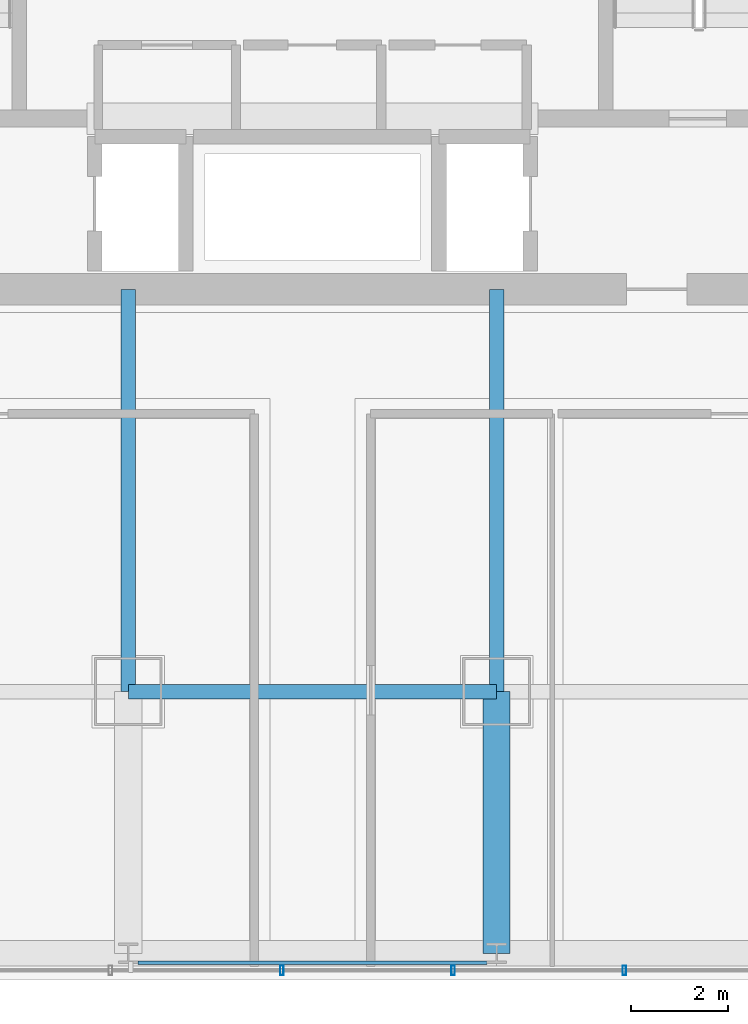
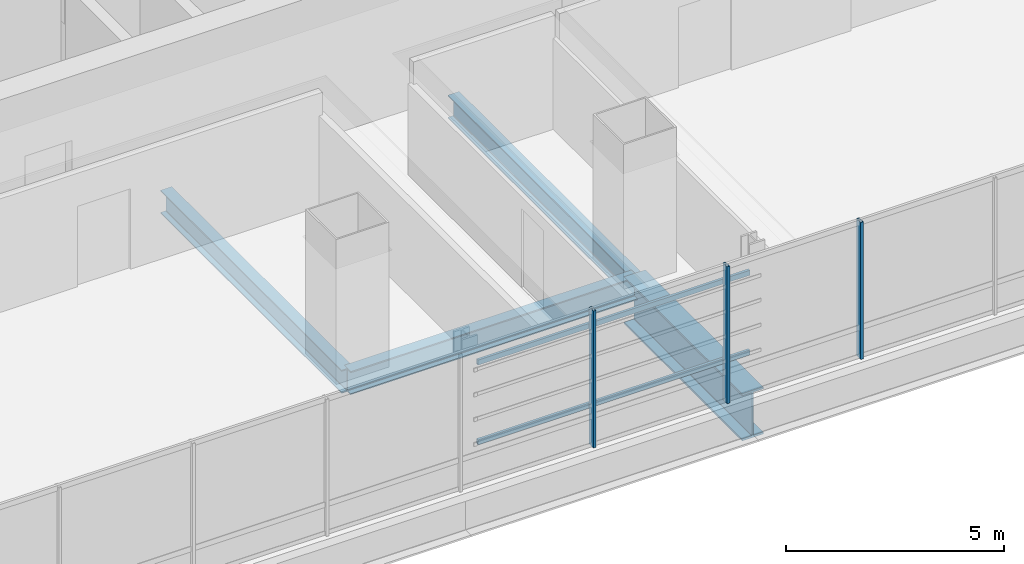
# One storey, part 8 of 37: 5 members, 4 beams, 1 element without a shape of its own.
"""IFC4 building model written with IfcOpenShell, lengths in metres."""

from ifc_helpers import new_model, si_unit, direction, frame, origin, origin_2d, place, context, subcontext, project, spatial, hollow_rectangle, i_section, extrude, material, material_profile, profile_set, type_object, element, aggregate, save


model = new_model("IFC4")

# Units and contexts
model_context = context("Model", 3, precision=1e-05, world=origin(), true_north=direction((0.0, 1.0)))
body_context = subcontext(model_context, "Body", "Model", "MODEL_VIEW")
ifc_project = project(units=[si_unit("LENGTHUNIT", "METRE"), si_unit("AREAUNIT", "SQUARE_METRE"), si_unit("VOLUMEUNIT", "CUBIC_METRE"), si_unit("PLANEANGLEUNIT", "RADIAN"), si_unit("MASSUNIT", "GRAM", prefix="KILO")], contexts=[model_context])

# Site, building, storey
site_placement = place(None, origin())
site = spatial("IfcSite", under=ifc_project, at=site_placement, CompositionType="ELEMENT")
building_placement = place(site_placement, origin())
building = spatial("IfcBuilding", under=site, at=building_placement, Name="Punatoya Terracotta Tower", CompositionType="ELEMENT")
storey_placement = place(building_placement, frame((0.0, 0.0, 192.449951171875)))
storey = spatial("IfcBuildingStorey", under=building, at=storey_placement, Name="L45", CompositionType="ELEMENT", Elevation=192.449951171875)

# Beams
ifc_material_1 = material(Name="Steel S355", Category="steel")
ifc_material_profile_1 = material_profile(ifc_material_1, i_section(OverallWidth=0.300048828125, OverallDepth=0.64990234375, WebThickness=0.01611328125, FlangeThickness=0.031005859375, FilletRadius=0.01806640625, at=origin_2d()))
ifc_profile_set_1 = profile_set([ifc_material_profile_1], Name="Steel S355")
beam_type_1 = type_object("IfcBeamType", Name="BM-PRI-650", PredefinedType="BEAM", material=ifc_profile_set_1)
beam_1_placement = place(storey_placement, frame((-3.800048828125, -17.5, -0.544921875), z_axis=(1.0, 0.0, 0.0), x_axis=(0.0, 1.0, 0.0)))
element("IfcBeam", 1, at=beam_1_placement, inside=storey, type_object=beam_type_1, Name="BM-L45-RG-S2", PredefinedType="BEAM", context=body_context, shape_type="SweptSolid", body=[
    extrude(i_section(OverallWidth=0.300048828125, OverallDepth=0.64990234375, WebThickness=0.01611328125, FlangeThickness=0.031005859375, FilletRadius=0.01806640625, at=origin_2d()), origin(), (0.0, 0.0, 1.0), 7.60009765625),
])
for number, where, z_axis, x_axis, name in (
    (2, (-3.800048828125, -17.5, -0.544921875), (0.0, 1.0, 0.0), (-1.0, 0.0, 0.0), "BM-L45-PR-S2"),
    (3, (3.800048828125, -17.5, -0.544921875), (0.0, 1.0, 0.0), (-1.0, 0.0, 0.0), "BM-L45-PR-S3"),
):
    element("IfcBeam", number, at=place(storey_placement, frame(where, z_axis=z_axis, x_axis=x_axis)), inside=storey, type_object=beam_type_1, Name=name, PredefinedType="BEAM", context=body_context, shape_type="SweptSolid", body=[
        extrude(i_section(OverallWidth=0.300048828125, OverallDepth=0.64990234375, WebThickness=0.01611328125, FlangeThickness=0.031005859375, FilletRadius=0.01806640625, at=origin_2d()), origin(), (0.0, 0.0, 1.0), 8.300048828125),
    ])
ifc_material_2 = material(Name="Steel S460", Category="steel")
ifc_material_profile_2 = material_profile(ifc_material_2, i_section(OverallWidth=0.56005859375, OverallDepth=1.320068359375, WebThickness=0.035888671875, FlangeThickness=0.054931640625, FilletRadius=0.01806640625, at=origin_2d()))
ifc_profile_set_2 = profile_set([ifc_material_profile_2], Name="Steel S460")
beam_type_2 = type_object("IfcBeamType", Name="BM-TG-BLK", PredefinedType="BEAM", material=ifc_profile_set_2)
beam_2_placement = place(storey_placement, frame((3.800048828125, -22.89990234375, -0.8798828125), z_axis=(0.0, 1.0, 0.0), x_axis=(-1.0, 0.0, 0.0)))
element("IfcBeam", 4, at=beam_2_placement, inside=storey, type_object=beam_type_2, Name="BM-L45-CANT-S3", PredefinedType="BEAM", context=body_context, shape_type="SweptSolid", body=[
    extrude(i_section(OverallWidth=0.56005859375, OverallDepth=1.320068359375, WebThickness=0.035888671875, FlangeThickness=0.054931640625, FilletRadius=0.01806640625, at=origin_2d()), origin(), (0.0, 0.0, 1.0), 5.39990234375),
])

# Curtain wall, members
ifc_material_3 = material(Name="Aluminium 6063-T6 + Double Low-E Glass", Category="aluminium")
curtain_wall_type = type_object("IfcCurtainWallType", Name="CW-M2", PredefinedType="NOTDEFINED", material=ifc_material_3)
curtain_wall_placement = place(storey_placement, origin())
curtain_wall = element("IfcCurtainWall", 5, at=curtain_wall_placement, inside=storey, type_object=curtain_wall_type, Name="L45 Curtain Wall CW-L45-S01-1", PredefinedType="NOTDEFINED")
ifc_material_4 = material(Name="Aluminium 6063-T6", Category="aluminium")
ifc_material_profile_3 = material_profile(ifc_material_4, hollow_rectangle(XDim=0.072021484375, YDim=0.195068359375, WallThickness=0.00439453125, at=origin_2d()))
ifc_profile_set_3 = profile_set([ifc_material_profile_3], Name="Aluminium 6063-T6")
member_type_1 = type_object("IfcMemberType", Name="CW-MUL-M2", PredefinedType="MULLION", material=ifc_profile_set_3)
member_1_placement = place(storey_placement, frame((-0.633056640625, -23.25, 0.0), z_axis=(0.0, 0.0, 1.0), x_axis=(1.0, 0.0, 0.0)))
member_1 = element("IfcMember", 6, at=member_1_placement, type_object=member_type_1, Name="CW-L45-S01-1 Mullion 06", PredefinedType="MULLION", context=body_context, shape_type="SweptSolid", body=[
    extrude(hollow_rectangle(XDim=0.072021484375, YDim=0.195068359375, WallThickness=0.00439453125, at=origin_2d()), origin(), (0.0, 0.0, 1.0), 3.830078125),
])
member_2_placement = place(storey_placement, frame((2.90087890625, -23.25, 0.0), z_axis=(0.0, 0.0, 1.0), x_axis=(1.0, 0.0, 0.0)))
member_2 = element("IfcMember", 7, at=member_2_placement, type_object=member_type_1, Name="CW-L45-S01-1 Mullion 07", PredefinedType="MULLION", context=body_context, shape_type="SweptSolid", body=[
    extrude(hollow_rectangle(XDim=0.072021484375, YDim=0.195068359375, WallThickness=0.00439453125, at=origin_2d()), origin(), (0.0, 0.0, 1.0), 3.830078125),
])
member_3_placement = place(storey_placement, frame((6.43505859375, -23.25, 0.0), z_axis=(0.0, 0.0, 1.0), x_axis=(1.0, 0.0, 0.0)))
member_3 = element("IfcMember", 8, at=member_3_placement, type_object=member_type_1, Name="CW-L45-S01-1 Mullion 08", PredefinedType="MULLION", context=body_context, shape_type="SweptSolid", body=[
    extrude(hollow_rectangle(XDim=0.072021484375, YDim=0.195068359375, WallThickness=0.00439453125, at=origin_2d()), origin(), (0.0, 0.0, 1.0), 3.830078125),
])
aggregate(curtain_wall, [member_1, member_2, member_3])

# Members
ifc_material_profile_4 = material_profile(ifc_material_1, hollow_rectangle(XDim=0.070068359375, YDim=0.139892578125, WallThickness=0.006103515625, at=origin_2d()))
ifc_profile_set_4 = profile_set([ifc_material_profile_4], Name="Steel S355")
member_type_2 = type_object("IfcMemberType", Name="MEM-BAG-RAIL", PredefinedType="USERDEFINED", material=ifc_profile_set_4)
for number, where, z_axis, x_axis, name in (
    (9, (-3.595947265625, -23.094482421875, 1.050048828125), (1.0, 0.0, 0.0), (0.0, 1.0, 0.0), "L45 Terracotta Baguette Carrier Rail BAG-L45-S-R1"),
    (10, (-3.595947265625, -23.094482421875, 3.280029296875), (1.0, 0.0, 0.0), (0.0, 1.0, 0.0), "L45 Terracotta Baguette Carrier Rail BAG-L45-S-R2"),
):
    element("IfcMember", number, at=place(storey_placement, frame(where, z_axis=z_axis, x_axis=x_axis)), inside=storey, type_object=member_type_2, Name=name, ObjectType="BAGUETTE", PredefinedType="USERDEFINED", context=body_context, shape_type="SweptSolid", body=[
        extrude(hollow_rectangle(XDim=0.070068359375, YDim=0.139892578125, WallThickness=0.006103515625, at=origin_2d()), origin(), (0.0, 0.0, 1.0), 7.19189453125),
    ])

save(model, "model.ifc")
